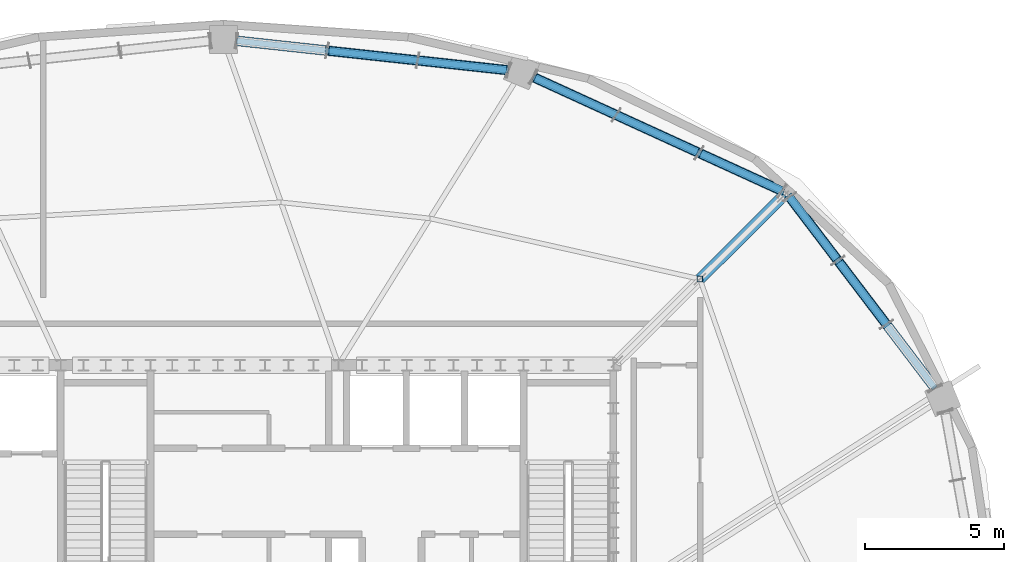
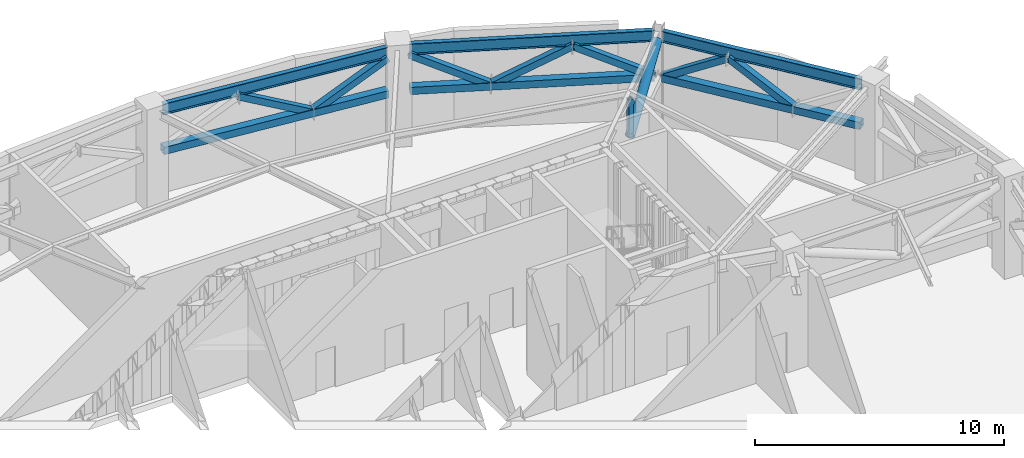
# One storey, part 8 of 20: 12 members, 3 beams.
"""IFC4 building model written with IfcOpenShell, lengths in metres."""

from ifc_helpers import new_model, si_unit, direction, frame, origin, origin_2d, place, context, subcontext, project, spatial, hollow_rectangle, hollow_circle, i_section, extrude, material, material_profile, profile_set, type_object, element, save


model = new_model("IFC4")

# Units and contexts
model_context = context("Model", 3, precision=1e-05, world=origin(), true_north=direction((0.0, 1.0)))
body_context = subcontext(model_context, "Body", "Model", "MODEL_VIEW")
ifc_project = project(units=[si_unit("LENGTHUNIT", "METRE"), si_unit("AREAUNIT", "SQUARE_METRE"), si_unit("VOLUMEUNIT", "CUBIC_METRE"), si_unit("PLANEANGLEUNIT", "RADIAN"), si_unit("MASSUNIT", "GRAM", prefix="KILO")], contexts=[model_context])

# Site, building, storey
site_placement = place(None, origin())
site = spatial("IfcSite", under=ifc_project, at=site_placement, CompositionType="ELEMENT")
building_placement = place(site_placement, origin())
building = spatial("IfcBuilding", under=site, at=building_placement, Name="Haldorwick Loom Tower", CompositionType="ELEMENT")
storey_placement = place(building_placement, frame((0.0, 0.0, 222.10009765625)))
storey = spatial("IfcBuildingStorey", under=building, at=storey_placement, Name="L60", CompositionType="ELEMENT", Elevation=222.10009765625)

# Beams
ifc_material = material(Name="Steel CSA G40.21 350W", Category="steel")
ifc_material_profile_1 = material_profile(ifc_material, i_section(OverallWidth=0.2119140625, OverallDepth=0.5439453125, WebThickness=0.01318359375, FlangeThickness=0.021240234375, at=origin_2d()), Name="W530X123", Category="steel")
ifc_profile_set_1 = profile_set([ifc_material_profile_1], Name="Steel CSA G40.21 350W")
beam_type = type_object("IfcBeamType", Name="STR-BM-SP530", PredefinedType="SPANDREL", material=ifc_profile_set_1)
beam_1_placement = place(storey_placement, frame((61.673583984375, 34.720703125, 4.48779296875), z_axis=(-0.605253156055, 0.796033050247, 0.0), x_axis=(-0.796033050247, -0.605253156055, 0.0)))
element("IfcBeam", 1, at=beam_1_placement, inside=storey, type_object=beam_type, Name="L60 Perimeter Spandrel 2", PredefinedType="SPANDREL", context=body_context, shape_type="SweptSolid", body=[
    extrude(i_section(OverallWidth=0.2119140625, OverallDepth=0.5439453125, WebThickness=0.01318359375, FlangeThickness=0.021240234375, at=origin_2d()), origin(), (0.0, 0.0, 1.0), 8.671142578125),
])
beam_2_placement = place(storey_placement, frame((56.15576171875, 41.839111328125, 4.48779296875), z_axis=(-0.909350907904, 0.41602995841, 0.0), x_axis=(-0.41602995841, -0.909350907904, 0.0)))
element("IfcBeam", 2, at=beam_2_placement, inside=storey, type_object=beam_type, Name="L60 Perimeter Spandrel 3", PredefinedType="SPANDREL", context=body_context, shape_type="SweptSolid", body=[
    extrude(i_section(OverallWidth=0.2119140625, OverallDepth=0.5439453125, WebThickness=0.01318359375, FlangeThickness=0.021240234375, at=origin_2d()), origin(), (0.0, 0.0, 1.0), 9.86474609375),
])
beam_3_placement = place(storey_placement, frame((46.28125, 46.191650390625, 4.48779296875), z_axis=(-0.994187378218, 0.107663628917, 0.0), x_axis=(-0.107663628917, -0.994187378218, 0.0)))
element("IfcBeam", 3, at=beam_3_placement, inside=storey, type_object=beam_type, Name="L60 Perimeter Spandrel 4", PredefinedType="SPANDREL", context=body_context, shape_type="SweptSolid", body=[
    extrude(i_section(OverallWidth=0.2119140625, OverallDepth=0.5439453125, WebThickness=0.01318359375, FlangeThickness=0.021240234375, at=origin_2d()), origin(), (0.0, 0.0, 1.0), 9.866455078125),
])

# Members
ifc_material_profile_2 = material_profile(ifc_material, hollow_rectangle(XDim=0.3046875, YDim=0.3046875, WallThickness=0.0126953125, at=origin_2d()), Name="HSS305X305X13", Category="steel")
ifc_profile_set_2 = profile_set([ifc_material_profile_2], Name="Steel CSA G40.21 350W")
member_type_1 = type_object("IfcMemberType", Name="STR-MEM-BR305", PredefinedType="BRACE", material=ifc_profile_set_2)
member_1_placement = place(storey_placement, frame((59.924072265625, 37.021484375, 2.5), z_axis=(-0.520431663586, 0.684514724024, 0.510480632475), x_axis=(-0.796049867215, -0.605231037627, 0.0)))
element("IfcMember", 4, at=member_1_placement, inside=storey, type_object=member_type_1, Name="L60 Perimeter Belt Truss Web Diagonal 2-2", PredefinedType="BRACE", context=body_context, shape_type="SweptSolid", body=[
    extrude(hollow_rectangle(XDim=0.3046875, YDim=0.3046875, WallThickness=0.0126953125, at=origin_2d()), origin(), (0.0, 0.0, 1.0), 3.361083984375),
])
member_2_placement = place(storey_placement, frame((58.1748046875, 39.322265625, 4.2158203125), z_axis=(-0.520458746715, 0.684527447362, -0.510435957566), x_axis=(-0.796040112814, -0.605243867207, 0.0)))
element("IfcMember", 5, at=member_2_placement, inside=storey, type_object=member_type_1, Name="L60 Perimeter Belt Truss Web Diagonal 2-3", PredefinedType="BRACE", context=body_context, shape_type="SweptSolid", body=[
    extrude(hollow_rectangle(XDim=0.3046875, YDim=0.3046875, WallThickness=0.0126953125, at=origin_2d()), origin(), (0.0, 0.0, 1.0), 3.361572265625),
])
member_3_placement = place(storey_placement, frame((56.15576171875, 41.839111328125, 2.5), z_axis=(-0.806208499388, 0.368810109575, 0.46260886134), x_axis=(-0.41600013021, -0.909364553777, 0.0)))
element("IfcMember", 6, at=member_3_placement, inside=storey, type_object=member_type_1, Name="L60 Perimeter Belt Truss Web Diagonal 3-1", PredefinedType="BRACE", context=body_context, shape_type="SweptSolid", body=[
    extrude(hollow_rectangle(XDim=0.3046875, YDim=0.3046875, WallThickness=0.0126953125, at=origin_2d()), origin(), (0.0, 0.0, 1.0), 3.708984375),
])
member_4_placement = place(storey_placement, frame((53.16552734375, 43.20703125, 4.2158203125), z_axis=(-0.80618545743, 0.368829682206, -0.462633411841), x_axis=(-0.416028218842, -0.909351703758, 0.0)))
element("IfcMember", 7, at=member_4_placement, inside=storey, type_object=member_type_1, Name="L60 Perimeter Belt Truss Web Diagonal 3-2", PredefinedType="BRACE", context=body_context, shape_type="SweptSolid", body=[
    extrude(hollow_rectangle(XDim=0.3046875, YDim=0.3046875, WallThickness=0.0126953125, at=origin_2d()), origin(), (0.0, 0.0, 1.0), 3.708740234375),
])
member_5_placement = place(storey_placement, frame((50.175537109375, 44.574951171875, 2.5), z_axis=(-0.806188926481, 0.368866977792, 0.462597630251), x_axis=(-0.416061524611, -0.909336465638, 0.0)))
element("IfcMember", 8, at=member_5_placement, inside=storey, type_object=member_type_1, Name="L60 Perimeter Belt Truss Web Diagonal 3-3", PredefinedType="BRACE", context=body_context, shape_type="SweptSolid", body=[
    extrude(hollow_rectangle(XDim=0.3046875, YDim=0.3046875, WallThickness=0.0126953125, at=origin_2d()), origin(), (0.0, 0.0, 1.0), 3.708984375),
])
member_6_placement = place(storey_placement, frame((46.28125, 46.191650390625, 4.2158203125), z_axis=(-0.881441554708, 0.095495534673, -0.462537985999), x_axis=(-0.107709894302, -0.994182366907, 0.0)))
element("IfcMember", 9, at=member_6_placement, inside=storey, type_object=member_type_1, Name="L60 Perimeter Belt Truss Web Diagonal 4-1", PredefinedType="BRACE", context=body_context, shape_type="SweptSolid", body=[
    extrude(hollow_rectangle(XDim=0.3046875, YDim=0.3046875, WallThickness=0.0126953125, at=origin_2d()), origin(), (0.0, 0.0, 1.0), 3.70947265625),
])
member_7_placement = place(storey_placement, frame((43.011474609375, 46.5458984375, 2.5), z_axis=(-0.881432411467, 0.095435856976, 0.462567726089), x_axis=(-0.107644467368, -0.994189453095, 0.0)))
element("IfcMember", 10, at=member_7_placement, inside=storey, type_object=member_type_1, Name="L60 Perimeter Belt Truss Web Diagonal 4-2", PredefinedType="BRACE", context=body_context, shape_type="SweptSolid", body=[
    extrude(hollow_rectangle(XDim=0.3046875, YDim=0.3046875, WallThickness=0.0126953125, at=origin_2d()), origin(), (0.0, 0.0, 1.0), 3.709228515625),
])
ifc_material_profile_3 = material_profile(ifc_material, hollow_circle(Radius=0.203125, WallThickness=0.0126953125, at=origin_2d()), Name="HSS406X13", Category="steel")
ifc_profile_set_3 = profile_set([ifc_material_profile_3], Name="Steel CSA G40.21 350W")
member_type_2 = type_object("IfcMemberType", Name="STR-MEM-BR406C", PredefinedType="BRACE", material=ifc_profile_set_3)
member_8_placement = place(storey_placement, frame((53.19384765625, 38.657470703125, 2.5), z_axis=(0.649674822532, 0.646288343574, 0.400292395541), x_axis=(-0.70525663392, 0.708952100153, 0.0)))
element("IfcMember", 11, at=member_8_placement, inside=storey, type_object=member_type_2, Name="L60 Outrigger OT-NE Outer Diagonal", PredefinedType="BRACE", context=body_context, shape_type="SweptSolid", body=[
    extrude(hollow_circle(Radius=0.203125, WallThickness=0.0126953125, at=origin_2d()), origin(), (0.0, 0.0, 1.0), 4.614013671875),
])
ifc_material_profile_4 = material_profile(ifc_material, hollow_rectangle(XDim=0.355712890625, YDim=0.355712890625, WallThickness=0.015869140625, at=origin_2d()), Name="HSS356X356X16", Category="steel")
ifc_profile_set_4 = profile_set([ifc_material_profile_4], Name="Steel CSA G40.21 350W")
member_type_3 = type_object("IfcMemberType", Name="STR-MEM-CH356", PredefinedType="CHORD", material=ifc_profile_set_4)
member_9_placement = place(storey_placement, frame((61.673583984375, 34.720703125, 2.5), z_axis=(-0.605253156055, 0.796033050247, 0.0), x_axis=(-0.796033050247, -0.605253156055, 0.0)))
element("IfcMember", 12, at=member_9_placement, inside=storey, type_object=member_type_3, Name="L60 Perimeter Belt Truss Bottom Chord 2", PredefinedType="CHORD", context=body_context, shape_type="SweptSolid", body=[
    extrude(hollow_rectangle(XDim=0.355712890625, YDim=0.355712890625, WallThickness=0.015869140625, at=origin_2d()), origin(), (0.0, 0.0, 1.0), 8.671142578125),
])
member_10_placement = place(storey_placement, frame((56.15576171875, 41.839111328125, 2.5), z_axis=(-0.909350907904, 0.41602995841, 0.0), x_axis=(-0.41602995841, -0.909350907904, 0.0)))
element("IfcMember", 13, at=member_10_placement, inside=storey, type_object=member_type_3, Name="L60 Perimeter Belt Truss Bottom Chord 3", PredefinedType="CHORD", context=body_context, shape_type="SweptSolid", body=[
    extrude(hollow_rectangle(XDim=0.355712890625, YDim=0.355712890625, WallThickness=0.015869140625, at=origin_2d()), origin(), (0.0, 0.0, 1.0), 9.86474609375),
])
member_11_placement = place(storey_placement, frame((46.28125, 46.191650390625, 2.5), z_axis=(-0.994187378218, 0.107663628917, 0.0), x_axis=(-0.107663628917, -0.994187378218, 0.0)))
element("IfcMember", 14, at=member_11_placement, inside=storey, type_object=member_type_3, Name="L60 Perimeter Belt Truss Bottom Chord 4", PredefinedType="CHORD", context=body_context, shape_type="SweptSolid", body=[
    extrude(hollow_rectangle(XDim=0.355712890625, YDim=0.355712890625, WallThickness=0.015869140625, at=origin_2d()), origin(), (0.0, 0.0, 1.0), 9.866455078125),
])
ifc_material_profile_5 = material_profile(ifc_material, hollow_rectangle(XDim=0.203125, YDim=0.203125, WallThickness=0.009521484375, at=origin_2d()), Name="HSS203X203X10", Category="steel")
ifc_profile_set_5 = profile_set([ifc_material_profile_5], Name="Steel CSA G40.21 350W")
member_type_4 = type_object("IfcMemberType", Name="STR-MEM-ST203", PredefinedType="STRUT", material=ifc_profile_set_5)
member_12_placement = place(storey_placement, frame((53.19384765625, 38.657470703125, 2.5), z_axis=(0.0, 0.0, 1.0), x_axis=(1.0, 0.0, 0.0)))
element("IfcMember", 15, at=member_12_placement, inside=storey, type_object=member_type_4, Name="L60 Outrigger OT-NE Mid Post", PredefinedType="STRUT", context=body_context, shape_type="SweptSolid", body=[
    extrude(hollow_rectangle(XDim=0.203125, YDim=0.203125, WallThickness=0.009521484375, at=origin_2d()), origin(), (0.0, 0.0, 1.0), 1.846923828125),
])

save(model, "model.ifc")
